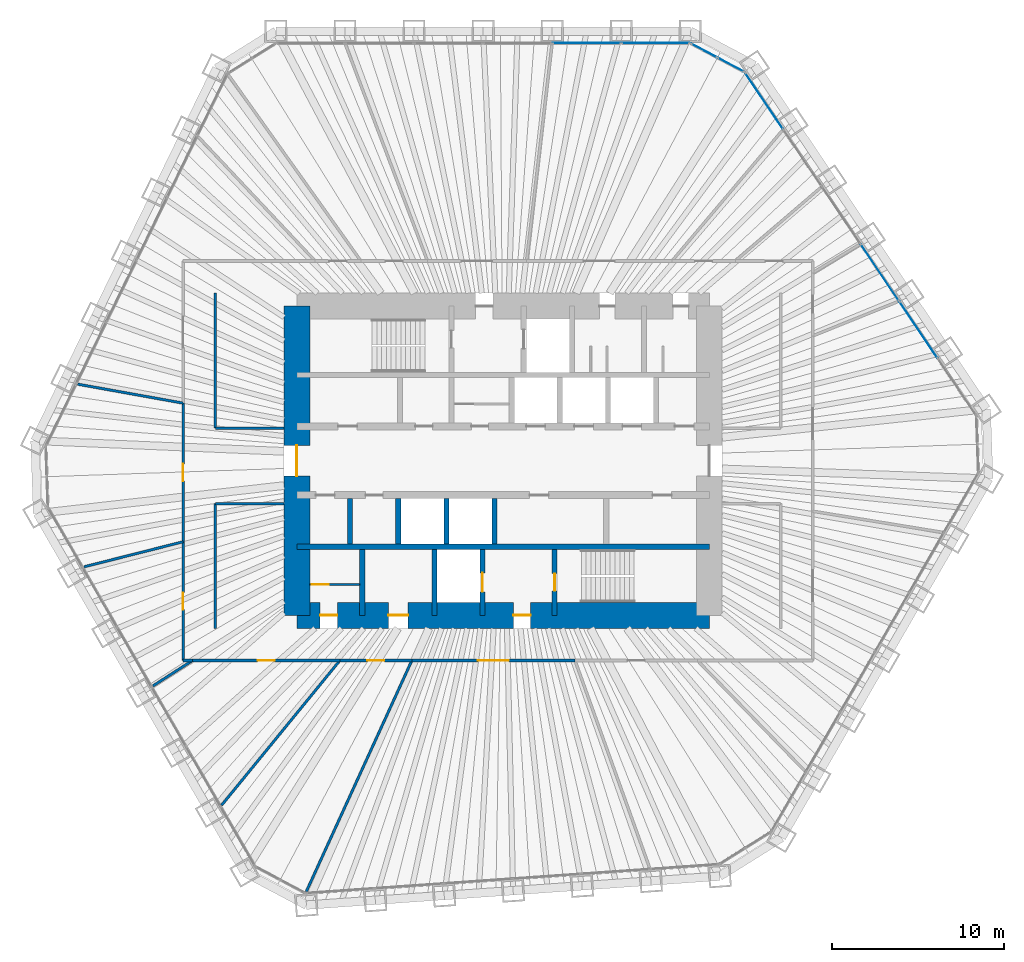
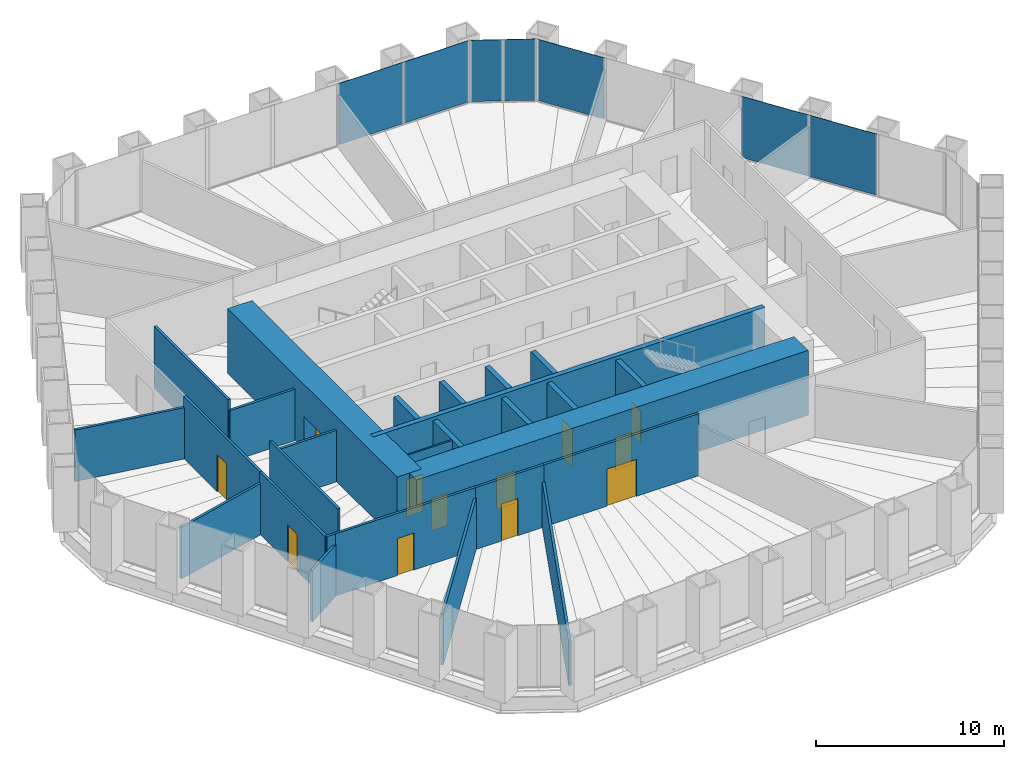
# One storey, part 10 of 13: 27 walls, 12 doors, 7 plates, 12 openings, 3 elements without a shape of their own.
"""IFC4 building model written with IfcOpenShell, lengths in metres."""

from ifc_helpers import new_model, si_unit, direction, frame, frame_2d, origin, origin_2d, place, context, subcontext, project, spatial, rectangle, extrude, material, layer, layer_set, type_object, element, fill, aggregate, save


model = new_model("IFC4")

# Units and contexts
model_context = context("Model", 3, precision=1e-05, world=origin(), true_north=direction((0.0, 1.0)))
body_context = subcontext(model_context, "Body", "Model", "MODEL_VIEW")
ifc_project = project(units=[si_unit("LENGTHUNIT", "METRE"), si_unit("AREAUNIT", "SQUARE_METRE"), si_unit("VOLUMEUNIT", "CUBIC_METRE"), si_unit("PLANEANGLEUNIT", "RADIAN"), si_unit("MASSUNIT", "GRAM", prefix="KILO")], contexts=[model_context])

# Site, building, storey
site_placement = place(None, origin())
site = spatial("IfcSite", under=ifc_project, at=site_placement, CompositionType="ELEMENT")
building_placement = place(site_placement, origin())
building = spatial("IfcBuilding", under=site, at=building_placement, Name="Qingtian Harvest Tower", CompositionType="ELEMENT")
storey_placement = place(building_placement, frame((0.0, 0.0, 149.199951171875)))
storey = spatial("IfcBuildingStorey", under=building, at=storey_placement, Name="L31", CompositionType="ELEMENT", Elevation=149.199951171875)

# Curtain wall, plates
ifc_material_1 = material(Name="Bronze-anodised aluminium curtain wall", Category="aluminium")
curtain_wall_type = type_object("IfcCurtainWallType", Name="Curtain wall CW4 office", PredefinedType="USERDEFINED", material=ifc_material_1)
curtain_wall_1_placement = place(storey_placement, origin())
curtain_wall_1 = element("IfcCurtainWall", 1, at=curtain_wall_1_placement, inside=storey, type_object=curtain_wall_type, Name="Curtain wall CW4 L31 N0-5", ObjectType="RECESSED CURTAIN WALL", PredefinedType="USERDEFINED")
ifc_material_2 = material(Name="Bronze-tinted laminated insulating glass", Category="glass")
ifc_layer_1 = layer(ifc_material_2, 0.030029296875)
ifc_layer_set_1 = layer_set([ifc_layer_1], Name="Glazed panel CWP tinted IGU")
plate_type = type_object("IfcPlateType", Name="Glazed panel CWP tinted IGU", PredefinedType="CURTAIN_PANEL", material=ifc_layer_set_1)
plate_1_placement = place(storey_placement, frame((4.864013671875, 24.300048828125, 0.06494140625), z_axis=(0.0, 0.0, 1.0), x_axis=(1.0, 0.0, 0.0)))
plate_1 = element("IfcPlate", 2, at=plate_1_placement, type_object=plate_type, Name="CW4 panel 5.1", PredefinedType="CURTAIN_PANEL", context=body_context, shape_type="SweptSolid", body=[
    extrude(rectangle(XDim=3.9541015625, YDim=0.030029296875, at=origin_2d()), origin(), (0.0, 0.0, 1.0), 3.965087890625),
])
plate_2_placement = place(storey_placement, frame((8.866943359375, 24.300048828125, 0.06494140625), z_axis=(0.0, 0.0, 1.0), x_axis=(1.0, 0.0, 0.0)))
plate_2 = element("IfcPlate", 3, at=plate_2_placement, type_object=plate_type, Name="CW4 panel 6.1", PredefinedType="CURTAIN_PANEL", context=body_context, shape_type="SweptSolid", body=[
    extrude(rectangle(XDim=3.921630859375, YDim=0.030029296875, at=origin_2d()), origin(), (0.0, 0.0, 1.0), 3.965087890625),
])
aggregate(curtain_wall_1, [plate_1, plate_2])

curtain_wall_2_placement = place(storey_placement, origin())
curtain_wall_2 = element("IfcCurtainWall", 4, at=curtain_wall_2_placement, inside=storey, type_object=curtain_wall_type, Name="Curtain wall CW4 L31 NC", ObjectType="RECESSED CURTAIN WALL", PredefinedType="USERDEFINED")
plate_3_placement = place(storey_placement, frame((11.697509765625, 23.8720703125, 0.06494140625), z_axis=(0.0, 0.0, 1.0), x_axis=(0.882947592859, -0.469471562786, 0.0)))
plate_3 = element("IfcPlate", 5, at=plate_3_placement, type_object=plate_type, Name="CW4 panel 1.1", PredefinedType="CURTAIN_PANEL", context=body_context, shape_type="SweptSolid", body=[
    extrude(rectangle(XDim=1.69287109375, YDim=0.030029296875, at=origin_2d()), origin(), (0.0, 0.0, 1.0), 3.965087890625),
])
plate_4_placement = place(storey_placement, frame((13.249755859375, 23.046875, 0.06494140625), z_axis=(0.0, 0.0, 1.0), x_axis=(0.882947592859, -0.469471562786, 0.0)))
plate_4 = element("IfcPlate", 6, at=plate_4_placement, type_object=plate_type, Name="CW4 panel 2.1", PredefinedType="CURTAIN_PANEL", context=body_context, shape_type="SweptSolid", body=[
    extrude(rectangle(XDim=1.69287109375, YDim=0.030029296875, at=origin_2d()), origin(), (0.0, 0.0, 1.0), 3.965087890625),
])
aggregate(curtain_wall_2, [plate_3, plate_4])

curtain_wall_3_placement = place(storey_placement, origin())
curtain_wall_3 = element("IfcCurtainWall", 7, at=curtain_wall_3_placement, inside=storey, type_object=curtain_wall_type, Name="Curtain wall CW4 L31 NE0-5", ObjectType="RECESSED CURTAIN WALL", PredefinedType="USERDEFINED")
plate_5_placement = place(storey_placement, frame((15.187255859375, 20.939453125, 0.06494140625), z_axis=(0.0, 0.0, 1.0), x_axis=(0.559192903471, -0.829037572555, 0.0)))
plate_5 = element("IfcPlate", 8, at=plate_5_placement, type_object=plate_type, Name="CW4 panel 1.1", PredefinedType="CURTAIN_PANEL", context=body_context, shape_type="SweptSolid", body=[
    extrude(rectangle(XDim=3.921630859375, YDim=0.030029296875, at=origin_2d()), origin(), (0.0, 0.0, 1.0), 3.965087890625),
])
plate_6_placement = place(storey_placement, frame((21.92041015625, 10.95703125, 0.06494140625), z_axis=(0.0, 0.0, 1.0), x_axis=(0.559192903471, -0.829037572555, 0.0)))
plate_6 = element("IfcPlate", 9, at=plate_6_placement, type_object=plate_type, Name="CW4 panel 4.1", PredefinedType="CURTAIN_PANEL", context=body_context, shape_type="SweptSolid", body=[
    extrude(rectangle(XDim=3.9541015625, YDim=0.030029296875, at=origin_2d()), origin(), (0.0, 0.0, 1.0), 3.965087890625),
])
plate_7_placement = place(storey_placement, frame((24.16796875, 7.625, 0.06494140625), z_axis=(0.0, 0.0, 1.0), x_axis=(0.559192903471, -0.829037572555, 0.0)))
plate_7 = element("IfcPlate", 10, at=plate_7_placement, type_object=plate_type, Name="CW4 panel 5.1", PredefinedType="CURTAIN_PANEL", context=body_context, shape_type="SweptSolid", body=[
    extrude(rectangle(XDim=3.9541015625, YDim=0.030029296875, at=origin_2d()), origin(), (0.0, 0.0, 1.0), 3.965087890625),
])
aggregate(curtain_wall_3, [plate_5, plate_6, plate_7])

# Walls
ifc_material_3 = material(Name="Concrete fc' 70 MPa", Category="concrete")
ifc_layer_2 = layer(ifc_material_3, 0.300048828125)
ifc_layer_set_2 = layer_set([ifc_layer_2], Name="Core inner wall RC5 300")
wall_type_1 = type_object("IfcWallType", Name="Core inner wall RC5 300", PredefinedType="SHEAR", material=ifc_layer_set_2)
wall_1_placement = place(storey_placement, frame((-12.0, -5.0, 0.0), z_axis=(0.0, 0.0, 1.0), x_axis=(1.0, 0.0, 0.0)))
element("IfcWall", 11, at=wall_1_placement, inside=storey, type_object=wall_type_1, Name="Core wall IS5 L31", PredefinedType="SHEAR", context=body_context, shape_type="SweptSolid", body=[
    extrude(rectangle(XDim=24.0, YDim=0.300048828125, at=frame_2d((12.0, 0.0))), origin(), (0.0, 0.0, 1.0), 4.199951171875),
])
ifc_material_4 = material(Name="Precast concrete shaft panel", Category="concrete")
ifc_layer_3 = layer(ifc_material_4, 0.300048828125)
ifc_layer_set_3 = layer_set([ifc_layer_3], Name="Core shaft partition SW1 300")
wall_type_2 = type_object("IfcWallType", Name="Core shaft partition SW1 300", PredefinedType="PARTITIONING", material=ifc_layer_set_3)
for number, where, z_axis, x_axis, name in (
    (12, (-8.89990234375, -4.85009765625, 0.0), (0.0, 0.0, 1.0), (0.0, 1.0, 0.0), "Core shaft partition XB1 L31"),
    (13, (-6.10009765625, -4.85009765625, 0.0), (0.0, 0.0, 1.0), (0.0, 1.0, 0.0), "Core shaft partition XB2 L31"),
    (14, (-3.300048828125, -4.85009765625, 0.0), (0.0, 0.0, 1.0), (0.0, 1.0, 0.0), "Core shaft partition XB3 L31"),
    (15, (-0.5, -4.85009765625, 0.0), (0.0, 0.0, 1.0), (0.0, 1.0, 0.0), "Core shaft partition XB4 L31"),
):
    element("IfcWall", number, at=place(storey_placement, frame(where, z_axis=z_axis, x_axis=x_axis)), inside=storey, type_object=wall_type_2, Name=name, PredefinedType="PARTITIONING", context=body_context, shape_type="SweptSolid", body=[
        extrude(rectangle(XDim=2.650146484375, YDim=0.300048828125, at=frame_2d((1.3251953125, 0.0))), origin(), (0.0, 0.0, 1.0), 3.97998046875),
    ])
for number, where, z_axis, x_axis, name in (
    (16, (-8.199951171875, -9.0, 0.0), (0.0, 0.0, 1.0), (0.0, 1.0, 0.0), "Core shaft partition XS1 L31"),
    (17, (-4.0, -9.0, 0.0), (0.0, 0.0, 1.0), (0.0, 1.0, 0.0), "Core shaft partition XS2 L31"),
):
    element("IfcWall", number, at=place(storey_placement, frame(where, z_axis=z_axis, x_axis=x_axis)), inside=storey, type_object=wall_type_2, Name=name, PredefinedType="PARTITIONING", context=body_context, shape_type="SweptSolid", body=[
        extrude(rectangle(XDim=3.85009765625, YDim=0.300048828125, at=frame_2d((1.925048828125, 0.0))), origin(), (0.0, 0.0, 1.0), 3.97998046875),
    ])

# Wall, opening, door
wall_2_placement = place(storey_placement, frame((-1.199951171875, -9.0, 0.0), z_axis=(0.0, 0.0, 1.0), x_axis=(0.0, 1.0, 0.0)))
wall_2 = element("IfcWall", 18, at=wall_2_placement, inside=storey, type_object=wall_type_2, Name="Core shaft partition XS3 L31", PredefinedType="PARTITIONING", context=body_context, shape_type="SweptSolid", body=[
    extrude(rectangle(XDim=3.85009765625, YDim=0.300048828125, at=frame_2d((1.925048828125, 0.0))), origin(), (0.0, 0.0, 1.0), 3.97998046875),
])
opening_1_placement = place(wall_2_placement, frame((1.375, 0.0, 0.0)))
opening_1 = element("IfcOpeningElement", 19, at=opening_1_placement, cuts=wall_2, Name="Opening LD1", PredefinedType="OPENING", context=body_context, shape_type="SweptSolid", body=[
    extrude(rectangle(XDim=1.10009765625, YDim=2.39990234375, at=frame_2d((0.550048828125, 1.199951171875))), frame((0.0, 0.159912109375, 0.0), z_axis=(0.0, -1.0, 0.0), x_axis=(1.0, 0.0, 0.0)), (0.0, 0.0, 1.0), 0.320068359375),
])
ifc_material_5 = material(Name="Stainless steel lift landing door", Category="steel")
door_type_1 = type_object("IfcDoorType", Name="Lift landing door LD1 1 HR", OperationType="DOUBLE_DOOR_SLIDING", PredefinedType="DOOR", material=ifc_material_5)
door_1_placement = place(opening_1_placement, origin())
door_1 = element("IfcDoor", 20, at=door_1_placement, inside=storey, type_object=door_type_1, Name="FL2 landing door L31", OperationType="DOUBLE_DOOR_SLIDING", OverallHeight=2.39990234375, OverallWidth=1.10009765625, PredefinedType="DOOR", context=body_context, shape_type="SweptSolid", body=[
    extrude(rectangle(XDim=1.10009765625, YDim=2.39990234375, at=frame_2d((0.550048828125, 1.199951171875))), frame((0.0, 0.02490234375, 0.0), z_axis=(0.0, -1.0, 0.0), x_axis=(1.0, 0.0, 0.0)), (0.0, 0.0, 1.0), 0.050048828125),
])
fill(opening_1, door_1)

wall_3_placement = place(storey_placement, frame((3.0, -9.0, 0.0), z_axis=(0.0, 0.0, 1.0), x_axis=(0.0, 1.0, 0.0)))
wall_3 = element("IfcWall", 21, at=wall_3_placement, inside=storey, type_object=wall_type_2, Name="Core shaft partition XS4 L31", PredefinedType="PARTITIONING", context=body_context, shape_type="SweptSolid", body=[
    extrude(rectangle(XDim=3.85009765625, YDim=0.300048828125, at=frame_2d((1.925048828125, 0.0))), origin(), (0.0, 0.0, 1.0), 3.97998046875),
])
opening_2_placement = place(wall_3_placement, frame((1.425048828125, 0.0, 0.0)))
opening_2 = element("IfcOpeningElement", 22, at=opening_2_placement, cuts=wall_3, Name="Opening FD1", PredefinedType="OPENING", context=body_context, shape_type="SweptSolid", body=[
    extrude(rectangle(XDim=1.0, YDim=2.10009765625, at=frame_2d((0.5, 1.050048828125))), frame((0.0, 0.159912109375, 0.0), z_axis=(0.0, -1.0, 0.0), x_axis=(1.0, 0.0, 0.0)), (0.0, 0.0, 1.0), 0.320068359375),
])
ifc_material_6 = material(Name="Steel-faced door leaf", Category="steel")
door_type_2 = type_object("IfcDoorType", Name="Fire door FD1 single 1 HR", OperationType="SINGLE_SWING_LEFT", PredefinedType="DOOR", material=ifc_material_6)
door_2_placement = place(opening_2_placement, origin())
door_2 = element("IfcDoor", 23, at=door_2_placement, inside=storey, type_object=door_type_2, Name="S2 door L31", OperationType="SINGLE_SWING_RIGHT", OverallHeight=2.10009765625, OverallWidth=1.0, PredefinedType="DOOR", context=body_context, shape_type="SweptSolid", body=[
    extrude(rectangle(XDim=1.0, YDim=2.10009765625, at=frame_2d((0.5, 1.050048828125))), frame((0.0, 0.02490234375, 0.0), z_axis=(0.0, -1.0, 0.0), x_axis=(1.0, 0.0, 0.0)), (0.0, 0.0, 1.0), 0.050048828125),
])
fill(opening_2, door_2)

# Wall, openings, doors
ifc_material_7 = material(Name="Concrete fc' 70 MPa", Category="concrete")
ifc_layer_4 = layer(ifc_material_7, 1.5)
ifc_layer_set_4 = layer_set([ifc_layer_4], Name="Core wall RC1 1500")
wall_type_3 = type_object("IfcWallType", Name="Core wall RC1 1500", PredefinedType="SHEAR", material=ifc_layer_set_4)
wall_4_placement = place(storey_placement, frame((-12.0, -9.0, 0.0), z_axis=(0.0, 0.0, 1.0), x_axis=(1.0, 0.0, 0.0)))
wall_4 = element("IfcWall", 24, at=wall_4_placement, inside=storey, type_object=wall_type_3, Name="Core wall CS L31", PredefinedType="SHEAR", context=body_context, shape_type="SweptSolid", body=[
    extrude(rectangle(XDim=24.0, YDim=1.5, at=frame_2d((12.0, 0.0))), origin(), (0.0, 0.0, 1.0), 4.199951171875),
])
opening_3_placement = place(wall_4_placement, frame((1.35009765625, 0.0, 0.0)))
opening_3 = element("IfcOpeningElement", 25, at=opening_3_placement, cuts=wall_4, Name="Opening FD1", PredefinedType="OPENING", context=body_context, shape_type="SweptSolid", body=[
    extrude(rectangle(XDim=1.0, YDim=2.10009765625, at=frame_2d((0.5, 1.050048828125))), frame((0.0, 0.760009765625, 0.0), z_axis=(0.0, -1.0, 0.0), x_axis=(1.0, 0.0, 0.0)), (0.0, 0.0, 1.0), 1.52001953125),
])
opening_4_placement = place(wall_4_placement, frame((5.324951171875, 0.0, 0.0)))
opening_4 = element("IfcOpeningElement", 26, at=opening_4_placement, cuts=wall_4, Name="Opening AD1", PredefinedType="OPENING", context=body_context, shape_type="SweptSolid", body=[
    extrude(rectangle(XDim=1.14990234375, YDim=2.10009765625, at=frame_2d((0.574951171875, 1.050048828125))), frame((0.0, 0.760009765625, 0.0), z_axis=(0.0, -1.0, 0.0), x_axis=(1.0, 0.0, 0.0)), (0.0, 0.0, 1.0), 1.52001953125),
])
opening_5_placement = place(wall_4_placement, frame((12.60009765625, 0.0, 0.0)))
opening_5 = element("IfcOpeningElement", 27, at=opening_5_placement, cuts=wall_4, Name="Opening FD1", PredefinedType="OPENING", context=body_context, shape_type="SweptSolid", body=[
    extrude(rectangle(XDim=1.0, YDim=2.10009765625, at=frame_2d((0.5, 1.050048828125))), frame((0.0, 0.760009765625, 0.0), z_axis=(0.0, -1.0, 0.0), x_axis=(1.0, 0.0, 0.0)), (0.0, 0.0, 1.0), 1.52001953125),
])
ifc_material_8 = material(Name="Laminated timber door leaf", Category="wood")
door_type_3 = type_object("IfcDoorType", Name="Accessible WC door AD1 single", OperationType="SINGLE_SWING_LEFT", PredefinedType="DOOR", material=ifc_material_8)
door_3_placement = place(opening_4_placement, origin())
door_3 = element("IfcDoor", 28, at=door_3_placement, inside=storey, type_object=door_type_3, Name="AWC door L31", OperationType="SINGLE_SWING_RIGHT", OverallHeight=2.10009765625, OverallWidth=1.14990234375, PredefinedType="DOOR", context=body_context, shape_type="SweptSolid", body=[
    extrude(rectangle(XDim=1.14990234375, YDim=2.10009765625, at=frame_2d((0.574951171875, 1.050048828125))), frame((0.0, 0.02490234375, 0.0), z_axis=(0.0, -1.0, 0.0), x_axis=(1.0, 0.0, 0.0)), (0.0, 0.0, 1.0), 0.050048828125),
])
fill(opening_4, door_3)
door_4_placement = place(opening_3_placement, origin())
door_4 = element("IfcDoor", 29, at=door_4_placement, inside=storey, type_object=door_type_2, Name="CLN door L31", OperationType="SINGLE_SWING_LEFT", OverallHeight=2.10009765625, OverallWidth=1.0, PredefinedType="DOOR", context=body_context, shape_type="SweptSolid", body=[
    extrude(rectangle(XDim=1.0, YDim=2.10009765625, at=frame_2d((0.5, 1.050048828125))), frame((0.0, 0.02490234375, 0.0), z_axis=(0.0, -1.0, 0.0), x_axis=(1.0, 0.0, 0.0)), (0.0, 0.0, 1.0), 0.050048828125),
])
fill(opening_3, door_4)
door_5_placement = place(opening_5_placement, origin())
door_5 = element("IfcDoor", 30, at=door_5_placement, inside=storey, type_object=door_type_2, Name="V2 door L31", OperationType="SINGLE_SWING_RIGHT", OverallHeight=2.10009765625, OverallWidth=1.0, PredefinedType="DOOR", context=body_context, shape_type="SweptSolid", body=[
    extrude(rectangle(XDim=1.0, YDim=2.10009765625, at=frame_2d((0.5, 1.050048828125))), frame((0.0, 0.02490234375, 0.0), z_axis=(0.0, -1.0, 0.0), x_axis=(1.0, 0.0, 0.0)), (0.0, 0.0, 1.0), 0.050048828125),
])
fill(opening_5, door_5)

# Wall, opening, door
wall_5_placement = place(storey_placement, frame((-12.0, -9.0, 0.0), z_axis=(0.0, 0.0, 1.0), x_axis=(0.0, 1.0, 0.0)))
wall_5 = element("IfcWall", 31, at=wall_5_placement, inside=storey, type_object=wall_type_3, Name="Core wall CW L31", PredefinedType="SHEAR", context=body_context, shape_type="SweptSolid", body=[
    extrude(rectangle(XDim=18.0, YDim=1.5, at=frame_2d((9.0, 0.0))), origin(), (0.0, 0.0, 1.0), 4.199951171875),
])
opening_6_placement = place(wall_5_placement, frame((8.10009765625, 0.0, 0.0)))
opening_6 = element("IfcOpeningElement", 32, at=opening_6_placement, cuts=wall_5, Name="Opening FD2", PredefinedType="OPENING", context=body_context, shape_type="SweptSolid", body=[
    extrude(rectangle(XDim=1.800048828125, YDim=2.10009765625, at=frame_2d((0.89990234375, 1.050048828125))), frame((0.0, 0.760009765625, 0.0), z_axis=(0.0, -1.0, 0.0), x_axis=(1.0, 0.0, 0.0)), (0.0, 0.0, 1.0), 1.52001953125),
])
ifc_material_9 = material(Name="Steel-faced door leaf", Category="steel")
door_type_4 = type_object("IfcDoorType", Name="Fire door FD2 double 1 HR", OperationType="DOUBLE_DOOR_DOUBLE_SWING", PredefinedType="DOOR", material=ifc_material_9)
door_6_placement = place(opening_6_placement, origin())
door_6 = element("IfcDoor", 33, at=door_6_placement, inside=storey, type_object=door_type_4, Name="LOBBY-W door L31", OperationType="DOUBLE_DOOR_DOUBLE_SWING", OverallHeight=2.10009765625, OverallWidth=1.800048828125, PredefinedType="DOOR", context=body_context, shape_type="SweptSolid", body=[
    extrude(rectangle(XDim=1.800048828125, YDim=2.10009765625, at=frame_2d((0.89990234375, 1.050048828125))), frame((0.0, 0.02490234375, 0.0), z_axis=(0.0, -1.0, 0.0), x_axis=(1.0, 0.0, 0.0)), (0.0, 0.0, 1.0), 0.050048828125),
])
fill(opening_6, door_6)

ifc_material_10 = material(Name="Gypsum board on steel studs", Category="steel")
ifc_layer_5 = layer(ifc_material_10, 0.14990234375)
ifc_layer_set_5 = layer_set([ifc_layer_5], Name="Partition PT1 150")
wall_type_4 = type_object("IfcWallType", Name="Partition PT1 150", PredefinedType="PARTITIONING", material=ifc_layer_set_5)
wall_6_placement = place(storey_placement, frame((4.18408203125, -11.625, 0.0), z_axis=(0.0, 0.0, 1.0), x_axis=(-1.0, 0.0, 0.0)))
wall_6 = element("IfcWall", 34, at=wall_6_placement, inside=storey, type_object=wall_type_4, Name="Workplace zone wall L31", PredefinedType="PARTITIONING", context=body_context, shape_type="SweptSolid", body=[
    extrude(rectangle(XDim=9.494384765625, YDim=0.14990234375, at=frame_2d((4.7470703125, 0.0))), origin(), (0.0, 0.0, 1.0), 4.030029296875),
])
opening_7_placement = place(wall_6_placement, frame((3.84716796875, 0.0, 0.0)))
opening_7 = element("IfcOpeningElement", 35, at=opening_7_placement, cuts=wall_6, Name="Opening D3", PredefinedType="OPENING", context=body_context, shape_type="SweptSolid", body=[
    extrude(rectangle(XDim=1.800048828125, YDim=2.39990234375, at=frame_2d((0.89990234375, 1.199951171875))), frame((0.0, 0.0849609375, 0.0), z_axis=(0.0, -1.0, 0.0), x_axis=(1.0, 0.0, 0.0)), (0.0, 0.0, 1.0), 0.169921875),
])
ifc_material_11 = material(Name="Laminated timber door leaf", Category="wood")
door_type_5 = type_object("IfcDoorType", Name="Room door D3 double", OperationType="DOUBLE_DOOR_DOUBLE_SWING", PredefinedType="DOOR", material=ifc_material_11)
door_7_placement = place(opening_7_placement, origin())
door_7 = element("IfcDoor", 36, at=door_7_placement, inside=storey, type_object=door_type_5, Name="Workplace zone door L31", OperationType="DOUBLE_DOOR_DOUBLE_SWING", OverallHeight=2.39990234375, OverallWidth=1.800048828125, PredefinedType="DOOR", context=body_context, shape_type="SweptSolid", body=[
    extrude(rectangle(XDim=1.800048828125, YDim=2.39990234375, at=frame_2d((0.89990234375, 1.199951171875))), frame((0.0, 0.02490234375, 0.0), z_axis=(0.0, -1.0, 0.0), x_axis=(1.0, 0.0, 0.0)), (0.0, 0.0, 1.0), 0.050048828125),
])
fill(opening_7, door_7)

# Wall
wall_7_placement = place(storey_placement, frame((-11.452880859375, -25.072265625, 0.0), z_axis=(0.0, 0.0, 1.0), x_axis=(0.415494357555, 0.909595755729, 0.0)))
element("IfcWall", 37, at=wall_7_placement, inside=storey, type_object=wall_type_4, Name="Store room wall L31", PredefinedType="PARTITIONING", context=body_context, shape_type="SweptSolid", body=[
    extrude(rectangle(XDim=14.78369140625, YDim=0.14990234375, at=frame_2d((7.391845703125, 0.0))), origin(), (0.0, 0.0, 1.0), 2.929931640625),
])

# Wall, opening, door
wall_8_placement = place(storey_placement, frame((-5.310302734375, -11.625, 0.0), z_axis=(0.0, 0.0, 1.0), x_axis=(-1.0, 0.0, 0.0)))
wall_8 = element("IfcWall", 38, at=wall_8_placement, inside=storey, type_object=wall_type_4, Name="Store room wall L31", PredefinedType="PARTITIONING", context=body_context, shape_type="SweptSolid", body=[
    extrude(rectangle(XDim=4.1904296875, YDim=0.14990234375, at=frame_2d((2.09521484375, 0.0))), origin(), (0.0, 0.0, 1.0), 4.030029296875),
])
opening_8_placement = place(wall_8_placement, frame((1.59521484375, 0.0, 0.0)))
opening_8 = element("IfcOpeningElement", 39, at=opening_8_placement, cuts=wall_8, Name="Opening D2", PredefinedType="OPENING", context=body_context, shape_type="SweptSolid", body=[
    extrude(rectangle(XDim=1.0, YDim=2.39990234375, at=frame_2d((0.5, 1.199951171875))), frame((0.0, 0.0849609375, 0.0), z_axis=(0.0, -1.0, 0.0), x_axis=(1.0, 0.0, 0.0)), (0.0, 0.0, 1.0), 0.169921875),
])
ifc_material_12 = material(Name="Laminated timber door leaf", Category="wood")
door_type_6 = type_object("IfcDoorType", Name="Room door D2 single", OperationType="SINGLE_SWING_LEFT", PredefinedType="DOOR", material=ifc_material_12)
door_8_placement = place(opening_8_placement, origin())
door_8 = element("IfcDoor", 40, at=door_8_placement, inside=storey, type_object=door_type_6, Name="Store room door L31", OperationType="SINGLE_SWING_LEFT", OverallHeight=2.39990234375, OverallWidth=1.0, PredefinedType="DOOR", context=body_context, shape_type="SweptSolid", body=[
    extrude(rectangle(XDim=1.0, YDim=2.39990234375, at=frame_2d((0.5, 1.199951171875))), frame((0.0, 0.02490234375, 0.0), z_axis=(0.0, -1.0, 0.0), x_axis=(1.0, 0.0, 0.0)), (0.0, 0.0, 1.0), 0.050048828125),
])
fill(opening_8, door_8)

# Wall
wall_9_placement = place(storey_placement, frame((-16.3798828125, -20.042236328125, 0.0), z_axis=(0.0, 0.0, 1.0), x_axis=(0.632814540967, 0.774303400962, 0.0)))
element("IfcWall", 41, at=wall_9_placement, inside=storey, type_object=wall_type_4, Name="Pantry wall L31", PredefinedType="PARTITIONING", context=body_context, shape_type="SweptSolid", body=[
    extrude(rectangle(XDim=10.87060546875, YDim=0.14990234375, at=frame_2d((5.435302734375, 0.0))), origin(), (0.0, 0.0, 1.0), 3.330078125),
])

# Wall, opening, door
wall_10_placement = place(storey_placement, frame((-9.500732421875, -11.625, 0.0), z_axis=(0.0, 0.0, 1.0), x_axis=(-1.0, 0.0, 0.0)))
wall_10 = element("IfcWall", 42, at=wall_10_placement, inside=storey, type_object=wall_type_4, Name="Pantry wall L31", PredefinedType="PARTITIONING", context=body_context, shape_type="SweptSolid", body=[
    extrude(rectangle(XDim=8.57666015625, YDim=0.14990234375, at=frame_2d((4.288330078125, 0.0))), origin(), (0.0, 0.0, 1.0), 4.030029296875),
])
opening_9_placement = place(wall_10_placement, frame((3.788330078125, 0.0, 0.0)))
opening_9 = element("IfcOpeningElement", 43, at=opening_9_placement, cuts=wall_10, Name="Opening D2", PredefinedType="OPENING", context=body_context, shape_type="SweptSolid", body=[
    extrude(rectangle(XDim=1.0, YDim=2.39990234375, at=frame_2d((0.5, 1.199951171875))), frame((0.0, 0.0849609375, 0.0), z_axis=(0.0, -1.0, 0.0), x_axis=(1.0, 0.0, 0.0)), (0.0, 0.0, 1.0), 0.169921875),
])
door_9_placement = place(opening_9_placement, origin())
door_9 = element("IfcDoor", 44, at=door_9_placement, inside=storey, type_object=door_type_6, Name="Pantry door L31", OperationType="SINGLE_SWING_LEFT", OverallHeight=2.39990234375, OverallWidth=1.0, PredefinedType="DOOR", context=body_context, shape_type="SweptSolid", body=[
    extrude(rectangle(XDim=1.0, YDim=2.39990234375, at=frame_2d((0.5, 1.199951171875))), frame((0.0, 0.02490234375, 0.0), z_axis=(0.0, -1.0, 0.0), x_axis=(1.0, 0.0, 0.0)), (0.0, 0.0, 1.0), 0.050048828125),
])
fill(opening_9, door_9)

# Walls
wall_11_placement = place(storey_placement, frame((-20.378173828125, -13.1044921875, 0.0), z_axis=(0.0, 0.0, 1.0), x_axis=(0.841108871346, 0.540865848934, 0.0)))
element("IfcWall", 45, at=wall_11_placement, inside=storey, type_object=wall_type_4, Name="Print room wall L31", PredefinedType="PARTITIONING", context=body_context, shape_type="SweptSolid", body=[
    extrude(rectangle(XDim=2.7353515625, YDim=0.14990234375, at=frame_2d((1.36767578125, 0.0))), origin(), (0.0, 0.0, 1.0), 3.330078125),
])
wall_12_placement = place(storey_placement, frame((-18.077392578125, -11.625, 0.0), z_axis=(0.0, 0.0, 1.0), x_axis=(-1.0, 0.0, 0.0)))
element("IfcWall", 46, at=wall_12_placement, inside=storey, type_object=wall_type_4, Name="Print room wall L31", PredefinedType="PARTITIONING", context=body_context, shape_type="SweptSolid", body=[
    extrude(rectangle(XDim=0.547607421875, YDim=0.14990234375, at=frame_2d((0.27392578125, 0.0))), origin(), (0.0, 0.0, 1.0), 4.030029296875),
])

# Wall, opening, door
wall_13_placement = place(storey_placement, frame((-18.625, -11.625, 0.0), z_axis=(0.0, 0.0, 1.0), x_axis=(0.0, 1.0, 0.0)))
wall_13 = element("IfcWall", 47, at=wall_13_placement, inside=storey, type_object=wall_type_4, Name="Print room wall L31", PredefinedType="PARTITIONING", context=body_context, shape_type="SweptSolid", body=[
    extrude(rectangle(XDim=6.91015625, YDim=0.14990234375, at=frame_2d((3.455078125, 0.0))), origin(), (0.0, 0.0, 1.0), 4.030029296875),
])
opening_10_placement = place(wall_13_placement, frame((2.955078125, 0.0, 0.0)))
opening_10 = element("IfcOpeningElement", 48, at=opening_10_placement, cuts=wall_13, Name="Opening D2", PredefinedType="OPENING", context=body_context, shape_type="SweptSolid", body=[
    extrude(rectangle(XDim=1.0, YDim=2.39990234375, at=frame_2d((0.5, 1.199951171875))), frame((0.0, 0.0849609375, 0.0), z_axis=(0.0, -1.0, 0.0), x_axis=(1.0, 0.0, 0.0)), (0.0, 0.0, 1.0), 0.169921875),
])
door_10_placement = place(opening_10_placement, origin())
door_10 = element("IfcDoor", 49, at=door_10_placement, inside=storey, type_object=door_type_6, Name="Print room door L31", OperationType="SINGLE_SWING_LEFT", OverallHeight=2.39990234375, OverallWidth=1.0, PredefinedType="DOOR", context=body_context, shape_type="SweptSolid", body=[
    extrude(rectangle(XDim=1.0, YDim=2.39990234375, at=frame_2d((0.5, 1.199951171875))), frame((0.0, 0.02490234375, 0.0), z_axis=(0.0, -1.0, 0.0), x_axis=(1.0, 0.0, 0.0)), (0.0, 0.0, 1.0), 0.050048828125),
])
fill(opening_10, door_10)

# Wall
wall_14_placement = place(storey_placement, frame((-24.38427734375, -6.172607421875, 0.0), z_axis=(0.0, 0.0, 1.0), x_axis=(0.969427635767, 0.245377380804, 0.0)))
element("IfcWall", 50, at=wall_14_placement, inside=storey, type_object=wall_type_4, Name="Quiet room wall L31", PredefinedType="PARTITIONING", context=body_context, shape_type="SweptSolid", body=[
    extrude(rectangle(XDim=5.94091796875, YDim=0.14990234375, at=frame_2d((2.970458984375, 0.0))), origin(), (0.0, 0.0, 1.0), 3.330078125),
])

# Wall, opening, door
wall_15_placement = place(storey_placement, frame((-18.625, -4.71484375, 0.0), z_axis=(0.0, 0.0, 1.0), x_axis=(0.0, 1.0, 0.0)))
wall_15 = element("IfcWall", 51, at=wall_15_placement, inside=storey, type_object=wall_type_4, Name="Quiet room wall L31", PredefinedType="PARTITIONING", context=body_context, shape_type="SweptSolid", body=[
    extrude(rectangle(XDim=8.06787109375, YDim=0.14990234375, at=frame_2d((4.033935546875, 0.0))), origin(), (0.0, 0.0, 1.0), 4.030029296875),
])
opening_11_placement = place(wall_15_placement, frame((3.533935546875, 0.0, 0.0)))
opening_11 = element("IfcOpeningElement", 52, at=opening_11_placement, cuts=wall_15, Name="Opening D2", PredefinedType="OPENING", context=body_context, shape_type="SweptSolid", body=[
    extrude(rectangle(XDim=1.0, YDim=2.39990234375, at=frame_2d((0.5, 1.199951171875))), frame((0.0, 0.0849609375, 0.0), z_axis=(0.0, -1.0, 0.0), x_axis=(1.0, 0.0, 0.0)), (0.0, 0.0, 1.0), 0.169921875),
])
door_11_placement = place(opening_11_placement, origin())
door_11 = element("IfcDoor", 53, at=door_11_placement, inside=storey, type_object=door_type_6, Name="Quiet room door L31", OperationType="SINGLE_SWING_LEFT", OverallHeight=2.39990234375, OverallWidth=1.0, PredefinedType="DOOR", context=body_context, shape_type="SweptSolid", body=[
    extrude(rectangle(XDim=1.0, YDim=2.39990234375, at=frame_2d((0.5, 1.199951171875))), frame((0.0, 0.02490234375, 0.0), z_axis=(0.0, -1.0, 0.0), x_axis=(1.0, 0.0, 0.0)), (0.0, 0.0, 1.0), 0.050048828125),
])
fill(opening_11, door_11)

# Walls
wall_16_placement = place(storey_placement, frame((-24.75537109375, 4.456787109375, 0.0), z_axis=(0.0, 0.0, 1.0), x_axis=(0.984175122587, -0.177198555524, 0.0)))
element("IfcWall", 54, at=wall_16_placement, inside=storey, type_object=wall_type_4, Name="Workplace zone wall L31", PredefinedType="PARTITIONING", context=body_context, shape_type="SweptSolid", body=[
    extrude(rectangle(XDim=6.22900390625, YDim=0.14990234375, at=frame_2d((3.114501953125, 0.0))), origin(), (0.0, 0.0, 1.0), 3.330078125),
])
wall_17_placement = place(storey_placement, frame((-16.75, 1.89990234375, 0.0), z_axis=(0.0, 0.0, 1.0), x_axis=(0.0, 1.0, 0.0)))
element("IfcWall", 55, at=wall_17_placement, inside=storey, type_object=wall_type_4, Name="Reading area wall L31", PredefinedType="PARTITIONING", context=body_context, shape_type="SweptSolid", body=[
    extrude(rectangle(XDim=7.85009765625, YDim=0.14990234375, at=frame_2d((3.925048828125, 0.0))), origin(), (0.0, 0.0, 1.0), 4.030029296875),
])
wall_18_placement = place(storey_placement, frame((-12.75, 1.89990234375, 0.0), z_axis=(0.0, 0.0, 1.0), x_axis=(-1.0, 0.0, 0.0)))
element("IfcWall", 56, at=wall_18_placement, inside=storey, type_object=wall_type_4, Name="Reading area wall L31", PredefinedType="PARTITIONING", context=body_context, shape_type="SweptSolid", body=[
    extrude(rectangle(XDim=4.0, YDim=0.14990234375, at=frame_2d((2.0, 0.0))), origin(), (0.0, 0.0, 1.0), 3.330078125),
])
wall_19_placement = place(storey_placement, frame((-16.75, -9.75, 0.0), z_axis=(0.0, 0.0, 1.0), x_axis=(0.0, 1.0, 0.0)))
element("IfcWall", 57, at=wall_19_placement, inside=storey, type_object=wall_type_4, Name="Coffee point wall L31", PredefinedType="PARTITIONING", context=body_context, shape_type="SweptSolid", body=[
    extrude(rectangle(XDim=7.25, YDim=0.14990234375, at=frame_2d((3.625, 0.0))), origin(), (0.0, 0.0, 1.0), 4.030029296875),
])
wall_20_placement = place(storey_placement, frame((-12.75, -2.5, 0.0), z_axis=(0.0, 0.0, 1.0), x_axis=(-1.0, 0.0, 0.0)))
element("IfcWall", 58, at=wall_20_placement, inside=storey, type_object=wall_type_4, Name="Coffee point wall L31", PredefinedType="PARTITIONING", context=body_context, shape_type="SweptSolid", body=[
    extrude(rectangle(XDim=4.0, YDim=0.14990234375, at=frame_2d((2.0, 0.0))), origin(), (0.0, 0.0, 1.0), 3.330078125),
])

# Wall, opening, door
ifc_material_13 = material(Name="Concrete block partition", Category="concrete")
ifc_layer_6 = layer(ifc_material_13, 0.10009765625)
ifc_layer_set_6 = layer_set([ifc_layer_6], Name="Store partition PT3 100")
wall_type_5 = type_object("IfcWallType", Name="Store partition PT3 100", PredefinedType="PARTITIONING", material=ifc_layer_set_6)
wall_21_placement = place(storey_placement, frame((-11.25, -7.199951171875, 0.0), z_axis=(0.0, 0.0, 1.0), x_axis=(1.0, 0.0, 0.0)))
wall_21 = element("IfcWall", 59, at=wall_21_placement, inside=storey, type_object=wall_type_5, Name="Waste store wall L31", PredefinedType="PARTITIONING", context=body_context, shape_type="SweptSolid", body=[
    extrude(rectangle(XDim=2.89990234375, YDim=0.10009765625, at=frame_2d((1.449951171875, 0.0))), origin(), (0.0, 0.0, 1.0), 3.97998046875),
])
opening_12_placement = place(wall_21_placement, frame((0.10009765625, 0.0, 0.0)))
opening_12 = element("IfcOpeningElement", 60, at=opening_12_placement, cuts=wall_21, Name="Opening D2", PredefinedType="OPENING", context=body_context, shape_type="SweptSolid", body=[
    extrude(rectangle(XDim=1.0, YDim=2.39990234375, at=frame_2d((0.5, 1.199951171875))), frame((0.0, 0.06005859375, 0.0), z_axis=(0.0, -1.0, 0.0), x_axis=(1.0, 0.0, 0.0)), (0.0, 0.0, 1.0), 0.1201171875),
])
door_12_placement = place(opening_12_placement, origin())
door_12 = element("IfcDoor", 61, at=door_12_placement, inside=storey, type_object=door_type_6, Name="Waste store door L31", OperationType="SINGLE_SWING_LEFT", OverallHeight=2.39990234375, OverallWidth=1.0, PredefinedType="DOOR", context=body_context, shape_type="SweptSolid", body=[
    extrude(rectangle(XDim=1.0, YDim=2.39990234375, at=frame_2d((0.5, 1.199951171875))), frame((0.0, 0.02490234375, 0.0), z_axis=(0.0, -1.0, 0.0), x_axis=(1.0, 0.0, 0.0)), (0.0, 0.0, 1.0), 0.050048828125),
])
fill(opening_12, door_12)

save(model, "model.ifc")
